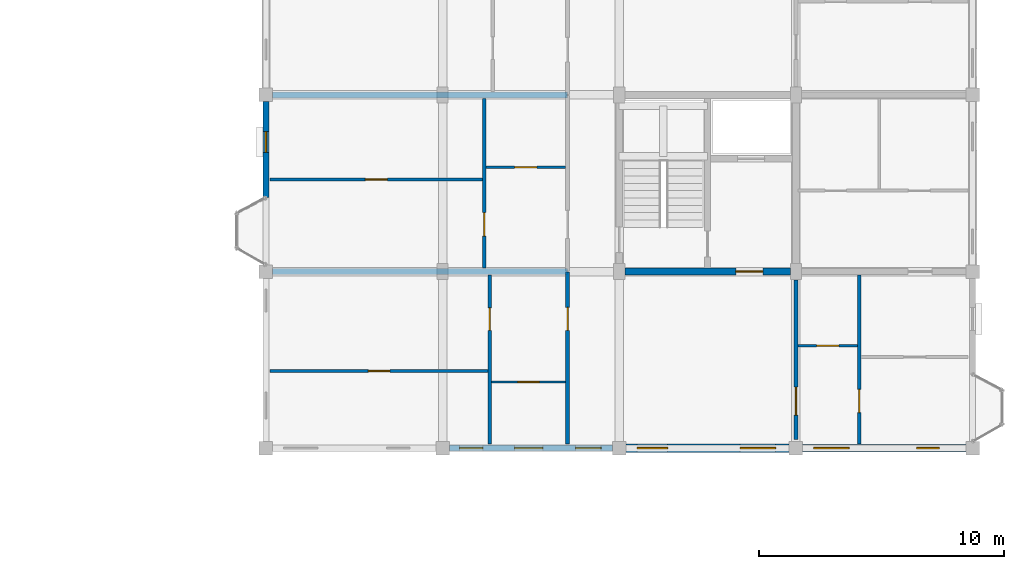
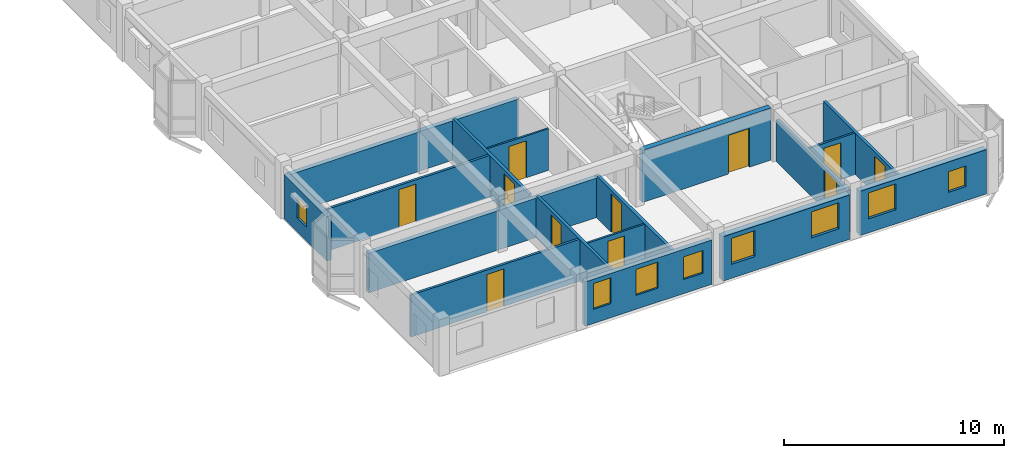
# One storey, part 60 of 77: 17 walls, 11 doors, 8 windows, 19 openings.
"""IFC4 building model written with IfcOpenShell, lengths in metres."""

from ifc_helpers import new_model, si_unit, direction, frame, frame_2d, origin, place, context, subcontext, project, spatial, rectangle, extrude, material, layer, layer_set, type_object, element, fill, save


model = new_model("IFC4")

# Units and contexts
model_context = context("Model", 3, precision=1e-05, world=origin(), true_north=direction((0.0, 1.0)))
body_context = subcontext(model_context, "Body", "Model", "MODEL_VIEW")
ifc_project = project(units=[si_unit("LENGTHUNIT", "METRE"), si_unit("AREAUNIT", "SQUARE_METRE"), si_unit("VOLUMEUNIT", "CUBIC_METRE"), si_unit("PLANEANGLEUNIT", "RADIAN"), si_unit("MASSUNIT", "GRAM", prefix="KILO"), si_unit("THERMODYNAMICTEMPERATUREUNIT", "KELVIN"), si_unit("POWERUNIT", "WATT")], contexts=[model_context])

# Site, building, storey
site_placement = place(None, origin())
site = spatial("IfcSite", under=ifc_project, at=site_placement, CompositionType="ELEMENT")
building_placement = place(site_placement, origin())
building = spatial("IfcBuilding", under=site, at=building_placement, Name="Tavuni Mirador Residences", CompositionType="ELEMENT")
storey_placement = place(building_placement, frame((0.0, 0.0, 17.10009765625)))
storey = spatial("IfcBuildingStorey", under=building, at=storey_placement, Name="L05", CompositionType="ELEMENT", Elevation=17.10009765625)

# Wall, opening, door
ifc_material_1 = material(Name="Precast concrete C40/50", Category="concrete")
ifc_layer_1 = layer(ifc_material_1, 0.280029296875, Name="Precast concrete C40/50", Category="concrete")
ifc_layer_set_1 = layer_set([ifc_layer_1], Name="Precast concrete C40/50")
wall_type_1 = type_object("IfcWallType", Name="WT-COR280", PredefinedType="SHEAR", material=ifc_layer_set_1)
wall_1_placement = place(storey_placement, frame((104.625, 93.60009765625, 0.0), z_axis=(0.0, 0.0, 1.0), x_axis=(1.0, 0.0, 0.0)))
wall_1 = element("IfcWall", 1, at=wall_1_placement, inside=storey, type_object=wall_type_1, Name="CWALL-C7-L05-SS", PredefinedType="SHEAR", context=body_context, shape_type="SweptSolid", body=[
    extrude(rectangle(XDim=6.75, YDim=0.280029296875, at=frame_2d((3.375, 0.0))), origin(), (0.0, 0.0, 1.0), 2.889892578125),
])
opening_1_placement = place(wall_1_placement, frame((4.52490234375, 0.0, 0.0)))
opening_1 = element("IfcOpeningElement", 2, at=opening_1_placement, cuts=wall_1, Name="Opening D-02", PredefinedType="OPENING", context=body_context, shape_type="SweptSolid", body=[
    extrude(rectangle(XDim=1.10009765625, YDim=2.14990234375, at=frame_2d((0.550048828125, 1.074951171875))), frame((0.0, 0.14990234375, 0.0), z_axis=(0.0, -1.0, 0.0), x_axis=(1.0, 0.0, 0.0)), (0.0, 0.0, 1.0), 0.300048828125),
])
ifc_material_2 = material(Name="Solid core iroko timber", Category="wood")
door_type_1 = type_object("IfcDoorType", Name="DT-LOB1100", OperationType="NOTDEFINED", PredefinedType="DOOR", material=ifc_material_2)
door_1_placement = place(opening_1_placement, frame((1.10009765625, 0.0, 0.0), z_axis=(0.0, 0.0, 1.0), x_axis=(-1.0, 0.0, 0.0)))
door_1 = element("IfcDoor", 3, at=door_1_placement, inside=storey, type_object=door_type_1, Name="DR-2286", OperationType="SINGLE_SWING_RIGHT", OverallHeight=2.14990234375, OverallWidth=1.10009765625, PredefinedType="DOOR", context=body_context, shape_type="SweptSolid", body=[
    extrude(rectangle(XDim=1.10009765625, YDim=2.14990234375, at=frame_2d((0.550048828125, 1.074951171875))), frame((0.0, 0.02490234375, 0.0), z_axis=(0.0, -1.0, 0.0), x_axis=(1.0, 0.0, 0.0)), (0.0, 0.0, 1.0), 0.050048828125),
])
fill(opening_1, door_1)

ifc_layer_2 = layer(ifc_material_1, 0.1650390625, Name="Precast concrete C40/50", Category="concrete")
ifc_layer_set_2 = layer_set([ifc_layer_2], Name="Precast concrete C40/50")
wall_type_2 = type_object("IfcWallType", Name="WT-CORR165", PredefinedType="PARTITIONING", material=ifc_layer_set_2)
wall_2_placement = place(storey_placement, frame((102.300048828125, 86.574951171875, 0.0), z_axis=(0.0, 0.0, 1.0), x_axis=(0.0, 1.0, 0.0)))
wall_2 = element("IfcWall", 4, at=wall_2_placement, inside=storey, type_object=wall_type_2, Name="CORW-BLK-D-L05-0-00", PredefinedType="PARTITIONING", context=body_context, shape_type="SweptSolid", body=[
    extrude(rectangle(XDim=7.005126953125, YDim=0.1650390625, at=frame_2d((3.50244140625, 0.0))), origin(), (0.0, 0.0, 1.0), 2.324951171875),
])
opening_2_placement = place(wall_2_placement, frame((4.625, 0.0, 0.0)))
opening_2 = element("IfcOpeningElement", 5, at=opening_2_placement, cuts=wall_2, Name="Opening D-19", PredefinedType="OPENING", context=body_context, shape_type="SweptSolid", body=[
    extrude(rectangle(XDim=0.93994140625, YDim=2.1201171875, at=frame_2d((0.469970703125, 1.06005859375))), frame((0.0, 0.092529296875, 0.0), z_axis=(0.0, -1.0, 0.0), x_axis=(1.0, 0.0, 0.0)), (0.0, 0.0, 1.0), 0.18505859375),
])
door_type_2 = type_object("IfcDoorType", Name="DT-FD60-940", OperationType="NOTDEFINED", PredefinedType="DOOR", material=ifc_material_2)
door_2_placement = place(opening_2_placement, origin())
door_2 = element("IfcDoor", 6, at=door_2_placement, inside=storey, type_object=door_type_2, Name="DR-2869", OperationType="SINGLE_SWING_RIGHT", OverallHeight=2.1201171875, OverallWidth=0.93994140625, PredefinedType="DOOR", context=body_context, shape_type="SweptSolid", body=[
    extrude(rectangle(XDim=0.93994140625, YDim=2.1201171875, at=frame_2d((0.469970703125, 1.06005859375))), frame((0.0, 0.02490234375, 0.0), z_axis=(0.0, -1.0, 0.0), x_axis=(1.0, 0.0, 0.0)), (0.0, 0.0, 1.0), 0.050048828125),
])
fill(opening_2, door_2)

wall_3_placement = place(storey_placement, frame((111.60009765625, 86.75, 0.0), z_axis=(0.0, 0.0, 1.0), x_axis=(0.0, 1.0, 0.0)))
wall_3 = element("IfcWall", 7, at=wall_3_placement, inside=storey, type_object=wall_type_2, Name="CORW-BLK-D-L05-1-00", PredefinedType="PARTITIONING", context=body_context, shape_type="SweptSolid", body=[
    extrude(rectangle(XDim=6.5, YDim=0.1650390625, at=frame_2d((3.25, 0.0))), origin(), (0.0, 0.0, 1.0), 2.324951171875),
])
opening_3_placement = place(wall_3_placement, frame((1.0, 0.0, 0.0)))
opening_3 = element("IfcOpeningElement", 8, at=opening_3_placement, cuts=wall_3, Name="Opening D-20", PredefinedType="OPENING", context=body_context, shape_type="SweptSolid", body=[
    extrude(rectangle(XDim=1.139892578125, YDim=2.179931640625, at=frame_2d((0.56982421875, 1.08984375))), frame((0.0, 0.092529296875, 0.0), z_axis=(0.0, -1.0, 0.0), x_axis=(1.0, 0.0, 0.0)), (0.0, 0.0, 1.0), 0.18505859375),
])
door_type_3 = type_object("IfcDoorType", Name="DT-FD60-1140", OperationType="NOTDEFINED", PredefinedType="DOOR", material=ifc_material_2)
door_3_placement = place(opening_3_placement, origin())
door_3 = element("IfcDoor", 9, at=door_3_placement, inside=storey, type_object=door_type_3, Name="DR-2876", OperationType="SINGLE_SWING_LEFT", OverallHeight=2.179931640625, OverallWidth=1.139892578125, PredefinedType="DOOR", context=body_context, shape_type="SweptSolid", body=[
    extrude(rectangle(XDim=1.139892578125, YDim=2.179931640625, at=frame_2d((0.56982421875, 1.08984375))), frame((0.0, 0.02490234375, 0.0), z_axis=(0.0, -1.0, 0.0), x_axis=(1.0, 0.0, 0.0)), (0.0, 0.0, 1.0), 0.050048828125),
])
fill(opening_3, door_3)

# Wall, openings, windows
ifc_layer_3 = layer(ifc_material_1, 0.330078125, Name="Precast concrete C40/50", Category="concrete")
ifc_layer_set_3 = layer_set([ifc_layer_3], Name="Precast concrete C40/50")
wall_type_3 = type_object("IfcWallType", Name="WT-EXT-COR330", PredefinedType="SOLIDWALL", material=ifc_layer_set_3)
wall_4_placement = place(storey_placement, frame((104.675048828125, 86.39990234375, 0.0), z_axis=(0.0, 0.0, 1.0), x_axis=(1.0, 0.0, 0.0)))
wall_4 = element("IfcWall", 10, at=wall_4_placement, inside=storey, type_object=wall_type_3, Name="EW-BLK-D-L05-S02", PredefinedType="SOLIDWALL", context=body_context, shape_type="SweptSolid", body=[
    extrude(rectangle(XDim=6.64990234375, YDim=0.330078125, at=frame_2d((3.324951171875, 0.0))), origin(), (0.0, 0.0, 1.0), 2.4599609375),
])
opening_4_placement = place(wall_4_placement, frame((0.449951171875, 0.0, 0.780029296875)))
opening_4 = element("IfcOpeningElement", 11, at=opening_4_placement, cuts=wall_4, Name="Opening WN-28", PredefinedType="OPENING", context=body_context, shape_type="SweptSolid", body=[
    extrude(rectangle(XDim=1.25, YDim=1.43994140625, at=frame_2d((0.625, 0.719970703125))), frame((0.0, 0.175048828125, 0.0), z_axis=(0.0, -1.0, 0.0), x_axis=(1.0, 0.0, 0.0)), (0.0, 0.0, 1.0), 0.35009765625),
])
opening_5_placement = place(wall_4_placement, frame((4.64990234375, 0.0, 0.780029296875)))
opening_5 = element("IfcOpeningElement", 12, at=opening_5_placement, cuts=wall_4, Name="Opening WN-30", PredefinedType="OPENING", context=body_context, shape_type="SweptSolid", body=[
    extrude(rectangle(XDim=1.449951171875, YDim=1.43994140625, at=frame_2d((0.72509765625, 0.719970703125))), frame((0.0, 0.175048828125, 0.0), z_axis=(0.0, -1.0, 0.0), x_axis=(1.0, 0.0, 0.0)), (0.0, 0.0, 1.0), 0.35009765625),
])
ifc_material_3 = material(Name="Laminated solar-control glass", Category="glass")
window_type_1 = type_object("IfcWindowType", Name="WNT-28", PartitioningType="SINGLE_PANEL", PredefinedType="WINDOW", material=ifc_material_3)
window_1_placement = place(opening_4_placement, origin())
window_1 = element("IfcWindow", 13, at=window_1_placement, inside=storey, type_object=window_type_1, Name="WIN-1612", OverallHeight=1.43994140625, OverallWidth=1.25, PartitioningType="SINGLE_PANEL", PredefinedType="WINDOW", context=body_context, shape_type="SweptSolid", body=[
    extrude(rectangle(XDim=1.25, YDim=1.43994140625, at=frame_2d((0.625, 0.719970703125))), frame((0.0, 0.030029296875, 0.0), z_axis=(0.0, -1.0, 0.0), x_axis=(1.0, 0.0, 0.0)), (0.0, 0.0, 1.0), 0.06005859375),
])
fill(opening_4, window_1)
window_type_2 = type_object("IfcWindowType", Name="WNT-30", PartitioningType="SINGLE_PANEL", PredefinedType="WINDOW", material=ifc_material_3)
window_2_placement = place(opening_5_placement, origin())
window_2 = element("IfcWindow", 14, at=window_2_placement, inside=storey, type_object=window_type_2, Name="WIN-1613", OverallHeight=1.43994140625, OverallWidth=1.449951171875, PartitioningType="SINGLE_PANEL", PredefinedType="WINDOW", context=body_context, shape_type="SweptSolid", body=[
    extrude(rectangle(XDim=1.449951171875, YDim=1.43994140625, at=frame_2d((0.72509765625, 0.719970703125))), frame((0.0, 0.030029296875, 0.0), z_axis=(0.0, -1.0, 0.0), x_axis=(1.0, 0.0, 0.0)), (0.0, 0.0, 1.0), 0.06005859375),
])
fill(opening_5, window_2)

ifc_material_4 = material(Name="Sgraffito lime-rendered precast concrete C40/50", Category="concrete")
ifc_layer_4 = layer(ifc_material_4, 0.2451171875, Name="Sgraffito lime-rendered precast concrete C40/50", Category="concrete")
ifc_layer_set_4 = layer_set([ifc_layer_4], Name="Sgraffito lime-rendered precast concrete C40/50")
wall_type_4 = type_object("IfcWallType", Name="WT-EXT-PC245", PredefinedType="SOLIDWALL", material=ifc_layer_set_4)
wall_5_placement = place(storey_placement, frame((97.47509765625, 86.39990234375, 0.0), z_axis=(0.0, 0.0, 1.0), x_axis=(1.0, 0.0, 0.0)))
wall_5 = element("IfcWall", 15, at=wall_5_placement, inside=storey, type_object=wall_type_4, Name="EW-BLK-D-L05-S01", PredefinedType="SOLIDWALL", context=body_context, shape_type="SweptSolid", body=[
    extrude(rectangle(XDim=6.64990234375, YDim=0.2451171875, at=frame_2d((3.324951171875, 0.0))), origin(), (0.0, 0.0, 1.0), 2.4599609375),
])
opening_6_placement = place(wall_5_placement, frame((0.422607421875, 0.0, 0.780029296875)))
opening_6 = element("IfcOpeningElement", 16, at=opening_6_placement, cuts=wall_5, Name="Opening WN-25", PredefinedType="OPENING", context=body_context, shape_type="SweptSolid", body=[
    extrude(rectangle(XDim=0.93994140625, YDim=1.43994140625, at=frame_2d((0.469970703125, 0.719970703125))), frame((0.0, 0.132568359375, 0.0), z_axis=(0.0, -1.0, 0.0), x_axis=(1.0, 0.0, 0.0)), (0.0, 0.0, 1.0), 0.26513671875),
])
opening_7_placement = place(wall_5_placement, frame((2.659912109375, 0.0, 0.780029296875)))
opening_7 = element("IfcOpeningElement", 17, at=opening_7_placement, cuts=wall_5, Name="Opening WN-27", PredefinedType="OPENING", context=body_context, shape_type="SweptSolid", body=[
    extrude(rectangle(XDim=1.14990234375, YDim=1.43994140625, at=frame_2d((0.574951171875, 0.719970703125))), frame((0.0, 0.132568359375, 0.0), z_axis=(0.0, -1.0, 0.0), x_axis=(1.0, 0.0, 0.0)), (0.0, 0.0, 1.0), 0.26513671875),
])
opening_8_placement = place(wall_5_placement, frame((5.1474609375, 0.0, 0.780029296875)))
opening_8 = element("IfcOpeningElement", 18, at=opening_8_placement, cuts=wall_5, Name="Opening WN-11", PredefinedType="OPENING", context=body_context, shape_type="SweptSolid", body=[
    extrude(rectangle(XDim=1.0400390625, YDim=1.260009765625, at=frame_2d((0.52001953125, 0.6298828125))), frame((0.0, 0.132568359375, 0.0), z_axis=(0.0, -1.0, 0.0), x_axis=(1.0, 0.0, 0.0)), (0.0, 0.0, 1.0), 0.26513671875),
])
window_type_3 = type_object("IfcWindowType", Name="WNT-11", PartitioningType="SINGLE_PANEL", PredefinedType="WINDOW", material=ifc_material_3)
window_3_placement = place(opening_8_placement, origin())
window_3 = element("IfcWindow", 19, at=window_3_placement, inside=storey, type_object=window_type_3, Name="WIN-1611", OverallHeight=1.260009765625, OverallWidth=1.0400390625, PartitioningType="SINGLE_PANEL", PredefinedType="WINDOW", context=body_context, shape_type="SweptSolid", body=[
    extrude(rectangle(XDim=1.0400390625, YDim=1.260009765625, at=frame_2d((0.52001953125, 0.6298828125))), frame((0.0, 0.030029296875, 0.0), z_axis=(0.0, -1.0, 0.0), x_axis=(1.0, 0.0, 0.0)), (0.0, 0.0, 1.0), 0.06005859375),
])
fill(opening_8, window_3)
window_type_4 = type_object("IfcWindowType", Name="WNT-25", PartitioningType="SINGLE_PANEL", PredefinedType="WINDOW", material=ifc_material_3)
window_4_placement = place(opening_6_placement, origin())
window_4 = element("IfcWindow", 20, at=window_4_placement, inside=storey, type_object=window_type_4, Name="WIN-1609", OverallHeight=1.43994140625, OverallWidth=0.93994140625, PartitioningType="SINGLE_PANEL", PredefinedType="WINDOW", context=body_context, shape_type="SweptSolid", body=[
    extrude(rectangle(XDim=0.93994140625, YDim=1.43994140625, at=frame_2d((0.469970703125, 0.719970703125))), frame((0.0, 0.030029296875, 0.0), z_axis=(0.0, -1.0, 0.0), x_axis=(1.0, 0.0, 0.0)), (0.0, 0.0, 1.0), 0.06005859375),
])
fill(opening_6, window_4)
window_type_5 = type_object("IfcWindowType", Name="WNT-27", PartitioningType="SINGLE_PANEL", PredefinedType="WINDOW", material=ifc_material_3)
window_5_placement = place(opening_7_placement, origin())
window_5 = element("IfcWindow", 21, at=window_5_placement, inside=storey, type_object=window_type_5, Name="WIN-1610", OverallHeight=1.43994140625, OverallWidth=1.14990234375, PartitioningType="SINGLE_PANEL", PredefinedType="WINDOW", context=body_context, shape_type="SweptSolid", body=[
    extrude(rectangle(XDim=1.14990234375, YDim=1.43994140625, at=frame_2d((0.574951171875, 0.719970703125))), frame((0.0, 0.030029296875, 0.0), z_axis=(0.0, -1.0, 0.0), x_axis=(1.0, 0.0, 0.0)), (0.0, 0.0, 1.0), 0.06005859375),
])
fill(opening_7, window_5)

# Wall, opening, window
wall_6_placement = place(storey_placement, frame((90.0, 100.52490234375, 0.0), z_axis=(0.0, 0.0, 1.0), x_axis=(0.0, -1.0, 0.0)))
wall_6 = element("IfcWall", 22, at=wall_6_placement, inside=storey, type_object=wall_type_4, Name="EW-BLK-D-L05-W01", PredefinedType="SOLIDWALL", context=body_context, shape_type="SweptSolid", body=[
    extrude(rectangle(XDim=3.90478515625, YDim=0.2451171875, at=frame_2d((1.952392578125, 0.0))), origin(), (0.0, 0.0, 1.0), 2.4599609375),
])
opening_9_placement = place(wall_6_placement, frame((1.217529296875, 0.0, 0.780029296875)))
opening_9 = element("IfcOpeningElement", 23, at=opening_9_placement, cuts=wall_6, Name="Opening WN-01", PredefinedType="OPENING", context=body_context, shape_type="SweptSolid", body=[
    extrude(rectangle(XDim=0.85009765625, YDim=1.14990234375, at=frame_2d((0.425048828125, 0.574951171875))), frame((0.0, 0.132568359375, 0.0), z_axis=(0.0, -1.0, 0.0), x_axis=(1.0, 0.0, 0.0)), (0.0, 0.0, 1.0), 0.26513671875),
])
window_type_6 = type_object("IfcWindowType", Name="WNT-01", PartitioningType="SINGLE_PANEL", PredefinedType="WINDOW", material=ifc_material_3)
window_6_placement = place(opening_9_placement, origin())
window_6 = element("IfcWindow", 24, at=window_6_placement, inside=storey, type_object=window_type_6, Name="WIN-1645", OverallHeight=1.14990234375, OverallWidth=0.85009765625, PartitioningType="SINGLE_PANEL", PredefinedType="WINDOW", context=body_context, shape_type="SweptSolid", body=[
    extrude(rectangle(XDim=0.85009765625, YDim=1.14990234375, at=frame_2d((0.425048828125, 0.574951171875))), frame((0.0, 0.030029296875, 0.0), z_axis=(0.0, -1.0, 0.0), x_axis=(1.0, 0.0, 0.0)), (0.0, 0.0, 1.0), 0.06005859375),
])
fill(opening_9, window_6)

# Wall, openings, windows
ifc_layer_5 = layer(ifc_material_4, 0.31494140625, Name="Sgraffito lime-rendered precast concrete C40/50", Category="concrete")
ifc_layer_set_5 = layer_set([ifc_layer_5], Name="Sgraffito lime-rendered precast concrete C40/50")
wall_type_5 = type_object("IfcWallType", Name="WT-EXT-PC315", PredefinedType="SOLIDWALL", material=ifc_layer_set_5)
wall_7_placement = place(storey_placement, frame((111.875, 86.39990234375, 0.0), z_axis=(0.0, 0.0, 1.0), x_axis=(1.0, 0.0, 0.0)))
wall_7 = element("IfcWall", 25, at=wall_7_placement, inside=storey, type_object=wall_type_5, Name="EW-BLK-D-L05-S03", PredefinedType="SOLIDWALL", context=body_context, shape_type="SweptSolid", body=[
    extrude(rectangle(XDim=6.64990234375, YDim=0.31494140625, at=frame_2d((3.324951171875, 0.0))), origin(), (0.0, 0.0, 1.0), 2.4599609375),
])
opening_10_placement = place(wall_7_placement, frame((0.449951171875, 0.0, 0.780029296875)))
opening_10 = element("IfcOpeningElement", 26, at=opening_10_placement, cuts=wall_7, Name="Opening WN-30", PredefinedType="OPENING", context=body_context, shape_type="SweptSolid", body=[
    extrude(rectangle(XDim=1.449951171875, YDim=1.43994140625, at=frame_2d((0.72509765625, 0.719970703125))), frame((0.0, 0.16748046875, 0.0), z_axis=(0.0, -1.0, 0.0), x_axis=(1.0, 0.0, 0.0)), (0.0, 0.0, 1.0), 0.3349609375),
])
opening_11_placement = place(wall_7_placement, frame((4.64990234375, 0.0, 0.780029296875)))
opening_11 = element("IfcOpeningElement", 27, at=opening_11_placement, cuts=wall_7, Name="Opening WN-02", PredefinedType="OPENING", context=body_context, shape_type="SweptSolid", body=[
    extrude(rectangle(XDim=0.919921875, YDim=1.14990234375, at=frame_2d((0.4599609375, 0.574951171875))), frame((0.0, 0.16748046875, 0.0), z_axis=(0.0, -1.0, 0.0), x_axis=(1.0, 0.0, 0.0)), (0.0, 0.0, 1.0), 0.3349609375),
])
window_type_7 = type_object("IfcWindowType", Name="WNT-02", PartitioningType="SINGLE_PANEL", PredefinedType="WINDOW", material=ifc_material_3)
window_7_placement = place(opening_11_placement, origin())
window_7 = element("IfcWindow", 28, at=window_7_placement, inside=storey, type_object=window_type_7, Name="WIN-1615", OverallHeight=1.14990234375, OverallWidth=0.919921875, PartitioningType="SINGLE_PANEL", PredefinedType="WINDOW", context=body_context, shape_type="SweptSolid", body=[
    extrude(rectangle(XDim=0.919921875, YDim=1.14990234375, at=frame_2d((0.4599609375, 0.574951171875))), frame((0.0, 0.030029296875, 0.0), z_axis=(0.0, -1.0, 0.0), x_axis=(1.0, 0.0, 0.0)), (0.0, 0.0, 1.0), 0.06005859375),
])
fill(opening_11, window_7)
window_8_placement = place(opening_10_placement, origin())
window_8 = element("IfcWindow", 29, at=window_8_placement, inside=storey, type_object=window_type_2, Name="WIN-1614", OverallHeight=1.43994140625, OverallWidth=1.449951171875, PartitioningType="SINGLE_PANEL", PredefinedType="WINDOW", context=body_context, shape_type="SweptSolid", body=[
    extrude(rectangle(XDim=1.449951171875, YDim=1.43994140625, at=frame_2d((0.72509765625, 0.719970703125))), frame((0.0, 0.030029296875, 0.0), z_axis=(0.0, -1.0, 0.0), x_axis=(1.0, 0.0, 0.0)), (0.0, 0.0, 1.0), 0.06005859375),
])
fill(opening_10, window_8)

# Wall, opening, door
ifc_material_5 = material(Name="Acoustic gypsum and concrete block partition", Category="concrete")
ifc_layer_6 = layer(ifc_material_5, 0.094970703125, Name="Acoustic gypsum and concrete block partition", Category="concrete")
ifc_layer_set_6 = layer_set([ifc_layer_6], Name="Acoustic gypsum and concrete block partition")
wall_type_6 = type_object("IfcWallType", Name="WT-PART095", PredefinedType="PARTITIONING", material=ifc_layer_set_6)
wall_8_placement = place(storey_placement, frame((99.18994140625, 89.10009765625, 0.0), z_axis=(0.0, 0.0, 1.0), x_axis=(1.0, 0.0, 0.0)))
wall_8 = element("IfcWall", 30, at=wall_8_placement, inside=storey, type_object=wall_type_6, Name="PW-BLK-D-L05-W00-IN1", PredefinedType="PARTITIONING", context=body_context, shape_type="SweptSolid", body=[
    extrude(rectangle(XDim=3.02001953125, YDim=0.094970703125, at=frame_2d((1.510009765625, 0.0))), origin(), (0.0, 0.0, 1.0), 2.324951171875),
])
opening_12_placement = place(wall_8_placement, frame((1.074951171875, 0.0, 0.0)))
opening_12 = element("IfcOpeningElement", 31, at=opening_12_placement, cuts=wall_8, Name="Opening D-10", PredefinedType="OPENING", context=body_context, shape_type="SweptSolid", body=[
    extrude(rectangle(XDim=0.8701171875, YDim=2.050048828125, at=frame_2d((0.43505859375, 1.02490234375))), frame((0.0, 0.0576171875, 0.0), z_axis=(0.0, -1.0, 0.0), x_axis=(1.0, 0.0, 0.0)), (0.0, 0.0, 1.0), 0.114990234375),
])
door_type_4 = type_object("IfcDoorType", Name="DT-WC870", OperationType="NOTDEFINED", PredefinedType="DOOR", material=ifc_material_2)
door_4_placement = place(opening_12_placement, origin())
door_4 = element("IfcDoor", 32, at=door_4_placement, inside=storey, type_object=door_type_4, Name="DR-4472", OperationType="SINGLE_SWING_LEFT", OverallHeight=2.050048828125, OverallWidth=0.8701171875, PredefinedType="DOOR", context=body_context, shape_type="SweptSolid", body=[
    extrude(rectangle(XDim=0.8701171875, YDim=2.050048828125, at=frame_2d((0.43505859375, 1.02490234375))), frame((0.0, 0.02490234375, 0.0), z_axis=(0.0, -1.0, 0.0), x_axis=(1.0, 0.0, 0.0)), (0.0, 0.0, 1.0), 0.050048828125),
])
fill(opening_12, door_4)

wall_9_placement = place(storey_placement, frame((98.969970703125, 97.85009765625, 0.0), z_axis=(0.0, 0.0, 1.0), x_axis=(1.0, 0.0, 0.0)))
wall_9 = element("IfcWall", 33, at=wall_9_placement, inside=storey, type_object=wall_type_6, Name="PW-BLK-D-L05-W01-IN1", PredefinedType="PARTITIONING", context=body_context, shape_type="SweptSolid", body=[
    extrude(rectangle(XDim=3.239990234375, YDim=0.094970703125, at=frame_2d((1.6201171875, 0.0))), origin(), (0.0, 0.0, 1.0), 2.324951171875),
])
opening_13_placement = place(wall_9_placement, frame((1.169921875, 0.0, 0.0)))
opening_13 = element("IfcOpeningElement", 34, at=opening_13_placement, cuts=wall_9, Name="Opening D-09", PredefinedType="OPENING", context=body_context, shape_type="SweptSolid", body=[
    extrude(rectangle(XDim=0.89990234375, YDim=2.050048828125, at=frame_2d((0.449951171875, 1.02490234375))), frame((0.0, 0.0576171875, 0.0), z_axis=(0.0, -1.0, 0.0), x_axis=(1.0, 0.0, 0.0)), (0.0, 0.0, 1.0), 0.114990234375),
])
door_type_5 = type_object("IfcDoorType", Name="DT-WC900", OperationType="NOTDEFINED", PredefinedType="DOOR", material=ifc_material_2)
door_5_placement = place(opening_13_placement, origin())
door_5 = element("IfcDoor", 35, at=door_5_placement, inside=storey, type_object=door_type_5, Name="DR-4478", OperationType="SINGLE_SWING_RIGHT", OverallHeight=2.050048828125, OverallWidth=0.89990234375, PredefinedType="DOOR", context=body_context, shape_type="SweptSolid", body=[
    extrude(rectangle(XDim=0.89990234375, YDim=2.050048828125, at=frame_2d((0.449951171875, 1.02490234375))), frame((0.0, 0.02490234375, 0.0), z_axis=(0.0, -1.0, 0.0), x_axis=(1.0, 0.0, 0.0)), (0.0, 0.0, 1.0), 0.050048828125),
])
fill(opening_13, door_5)

ifc_layer_7 = layer(ifc_material_5, 0.10498046875, Name="Acoustic gypsum and concrete block partition", Category="concrete")
ifc_layer_set_7 = layer_set([ifc_layer_7], Name="Acoustic gypsum and concrete block partition")
wall_type_7 = type_object("IfcWallType", Name="WT-PART105", PredefinedType="PARTITIONING", material=ifc_layer_set_7)
wall_10_placement = place(storey_placement, frame((111.68994140625, 90.580078125, 0.0), z_axis=(0.0, 0.0, 1.0), x_axis=(1.0, 0.0, 0.0)))
wall_10 = element("IfcWall", 36, at=wall_10_placement, inside=storey, type_object=wall_type_7, Name="PW-BLK-D-L05-E00-IN1", PredefinedType="PARTITIONING", context=body_context, shape_type="SweptSolid", body=[
    extrude(rectangle(XDim=2.420166015625, YDim=0.10498046875, at=frame_2d((1.2099609375, 0.0))), origin(), (0.0, 0.0, 1.0), 2.324951171875),
])
opening_14_placement = place(wall_10_placement, frame((0.760009765625, 0.0, 0.0)))
opening_14 = element("IfcOpeningElement", 37, at=opening_14_placement, cuts=wall_10, Name="Opening D-09", PredefinedType="OPENING", context=body_context, shape_type="SweptSolid", body=[
    extrude(rectangle(XDim=0.89990234375, YDim=2.050048828125, at=frame_2d((0.449951171875, 1.02490234375))), frame((0.0, 0.0625, 0.0), z_axis=(0.0, -1.0, 0.0), x_axis=(1.0, 0.0, 0.0)), (0.0, 0.0, 1.0), 0.125),
])
door_6_placement = place(opening_14_placement, origin())
door_6 = element("IfcDoor", 38, at=door_6_placement, inside=storey, type_object=door_type_5, Name="DR-4475", OperationType="SINGLE_SWING_RIGHT", OverallHeight=2.050048828125, OverallWidth=0.89990234375, PredefinedType="DOOR", context=body_context, shape_type="SweptSolid", body=[
    extrude(rectangle(XDim=0.89990234375, YDim=2.050048828125, at=frame_2d((0.449951171875, 1.02490234375))), frame((0.0, 0.02490234375, 0.0), z_axis=(0.0, -1.0, 0.0), x_axis=(1.0, 0.0, 0.0)), (0.0, 0.0, 1.0), 0.050048828125),
])
fill(opening_14, door_6)

ifc_layer_8 = layer(ifc_material_5, 0.125, Name="Acoustic gypsum and concrete block partition", Category="concrete")
ifc_layer_set_8 = layer_set([ifc_layer_8], Name="Acoustic gypsum and concrete block partition")
wall_type_8 = type_object("IfcWallType", Name="WT-PART125", PredefinedType="PARTITIONING", material=ifc_layer_set_8)
wall_11_placement = place(storey_placement, frame((90.175048828125, 89.550048828125, 0.0), z_axis=(0.0, 0.0, 1.0), x_axis=(1.0, 0.0, 0.0)))
wall_11 = element("IfcWall", 39, at=wall_11_placement, inside=storey, type_object=wall_type_8, Name="PW-BLK-D-L05-W00-OUT", PredefinedType="PARTITIONING", context=body_context, shape_type="SweptSolid", body=[
    extrude(rectangle(XDim=8.875, YDim=0.125, at=frame_2d((4.4375, 0.0))), origin(), (0.0, 0.0, 1.0), 2.324951171875),
])
opening_15_placement = place(wall_11_placement, frame((3.99755859375, 0.0, 0.0)))
opening_15 = element("IfcOpeningElement", 40, at=opening_15_placement, cuts=wall_11, Name="Opening D-08", PredefinedType="OPENING", context=body_context, shape_type="SweptSolid", body=[
    extrude(rectangle(XDim=0.8798828125, YDim=2.080078125, at=frame_2d((0.43994140625, 1.0400390625))), frame((0.0, 0.072509765625, 0.0), z_axis=(0.0, -1.0, 0.0), x_axis=(1.0, 0.0, 0.0)), (0.0, 0.0, 1.0), 0.14501953125),
])
door_type_6 = type_object("IfcDoorType", Name="DT-BED880", OperationType="NOTDEFINED", PredefinedType="DOOR", material=ifc_material_2)
door_7_placement = place(opening_15_placement, origin())
door_7 = element("IfcDoor", 41, at=door_7_placement, inside=storey, type_object=door_type_6, Name="DR-4471", OperationType="SINGLE_SWING_RIGHT", OverallHeight=2.080078125, OverallWidth=0.8798828125, PredefinedType="DOOR", context=body_context, shape_type="SweptSolid", body=[
    extrude(rectangle(XDim=0.8798828125, YDim=2.080078125, at=frame_2d((0.43994140625, 1.0400390625))), frame((0.0, 0.02490234375, 0.0), z_axis=(0.0, -1.0, 0.0), x_axis=(1.0, 0.0, 0.0)), (0.0, 0.0, 1.0), 0.050048828125),
])
fill(opening_15, door_7)

wall_12_placement = place(storey_placement, frame((90.175048828125, 97.35009765625, 0.0), z_axis=(0.0, 0.0, 1.0), x_axis=(1.0, 0.0, 0.0)))
wall_12 = element("IfcWall", 42, at=wall_12_placement, inside=storey, type_object=wall_type_8, Name="PW-BLK-D-L05-W01-OUT", PredefinedType="PARTITIONING", context=body_context, shape_type="SweptSolid", body=[
    extrude(rectangle(XDim=8.655029296875, YDim=0.125, at=frame_2d((4.32763671875, 0.0))), origin(), (0.0, 0.0, 1.0), 2.324951171875),
])
opening_16_placement = place(wall_12_placement, frame((3.87744140625, 0.0, 0.0)))
opening_16 = element("IfcOpeningElement", 43, at=opening_16_placement, cuts=wall_12, Name="Opening D-07", PredefinedType="OPENING", context=body_context, shape_type="SweptSolid", body=[
    extrude(rectangle(XDim=0.89990234375, YDim=2.10009765625, at=frame_2d((0.449951171875, 1.050048828125))), frame((0.0, 0.072509765625, 0.0), z_axis=(0.0, -1.0, 0.0), x_axis=(1.0, 0.0, 0.0)), (0.0, 0.0, 1.0), 0.14501953125),
])
door_type_7 = type_object("IfcDoorType", Name="DT-BED900", OperationType="NOTDEFINED", PredefinedType="DOOR", material=ifc_material_2)
door_8_placement = place(opening_16_placement, origin())
door_8 = element("IfcDoor", 44, at=door_8_placement, inside=storey, type_object=door_type_7, Name="DR-4477", OperationType="SINGLE_SWING_LEFT", OverallHeight=2.10009765625, OverallWidth=0.89990234375, PredefinedType="DOOR", context=body_context, shape_type="SweptSolid", body=[
    extrude(rectangle(XDim=0.89990234375, YDim=2.10009765625, at=frame_2d((0.449951171875, 1.050048828125))), frame((0.0, 0.02490234375, 0.0), z_axis=(0.0, -1.0, 0.0), x_axis=(1.0, 0.0, 0.0)), (0.0, 0.0, 1.0), 0.050048828125),
])
fill(opening_16, door_8)

ifc_layer_9 = layer(ifc_material_5, 0.139892578125, Name="Acoustic gypsum and concrete block partition", Category="concrete")
ifc_layer_set_9 = layer_set([ifc_layer_9], Name="Acoustic gypsum and concrete block partition")
wall_type_9 = type_object("IfcWallType", Name="WT-PART140", PredefinedType="PARTITIONING", material=ifc_layer_set_9)
wall_13_placement = place(storey_placement, frame((114.179931640625, 86.574951171875, 0.0), z_axis=(0.0, 0.0, 1.0), x_axis=(0.0, 1.0, 0.0)))
wall_13 = element("IfcWall", 45, at=wall_13_placement, inside=storey, type_object=wall_type_9, Name="PW-BLK-D-L05-E00-MID", PredefinedType="PARTITIONING", context=body_context, shape_type="SweptSolid", body=[
    extrude(rectangle(XDim=6.885009765625, YDim=0.139892578125, at=frame_2d((3.4423828125, 0.0))), origin(), (0.0, 0.0, 1.0), 2.324951171875),
])
opening_17_placement = place(wall_13_placement, frame((1.27490234375, 0.0, 0.0)))
opening_17 = element("IfcOpeningElement", 46, at=opening_17_placement, cuts=wall_13, Name="Opening D-05", PredefinedType="OPENING", context=body_context, shape_type="SweptSolid", body=[
    extrude(rectangle(XDim=0.949951171875, YDim=2.10009765625, at=frame_2d((0.47509765625, 1.050048828125))), frame((0.0, 0.080078125, 0.0), z_axis=(0.0, -1.0, 0.0), x_axis=(1.0, 0.0, 0.0)), (0.0, 0.0, 1.0), 0.159912109375),
])
door_type_8 = type_object("IfcDoorType", Name="DT-INT950", OperationType="NOTDEFINED", PredefinedType="DOOR", material=ifc_material_2)
door_9_placement = place(opening_17_placement, origin())
door_9 = element("IfcDoor", 47, at=door_9_placement, inside=storey, type_object=door_type_8, Name="DR-4476", OperationType="SINGLE_SWING_LEFT", OverallHeight=2.10009765625, OverallWidth=0.949951171875, PredefinedType="DOOR", context=body_context, shape_type="SweptSolid", body=[
    extrude(rectangle(XDim=0.949951171875, YDim=2.10009765625, at=frame_2d((0.47509765625, 1.050048828125))), frame((0.0, 0.02490234375, 0.0), z_axis=(0.0, -1.0, 0.0), x_axis=(1.0, 0.0, 0.0)), (0.0, 0.0, 1.0), 0.050048828125),
])
fill(opening_17, door_9)

ifc_layer_10 = layer(ifc_material_5, 0.14990234375, Name="Acoustic gypsum and concrete block partition", Category="concrete")
ifc_layer_set_10 = layer_set([ifc_layer_10], Name="Acoustic gypsum and concrete block partition")
wall_type_10 = type_object("IfcWallType", Name="WT-PART150", PredefinedType="PARTITIONING", material=ifc_layer_set_10)
wall_14_placement = place(storey_placement, frame((99.1201171875, 86.574951171875, 0.0), z_axis=(0.0, 0.0, 1.0), x_axis=(0.0, 1.0, 0.0)))
wall_14 = element("IfcWall", 48, at=wall_14_placement, inside=storey, type_object=wall_type_10, Name="PW-BLK-D-L05-W00-MID", PredefinedType="PARTITIONING", context=body_context, shape_type="SweptSolid", body=[
    extrude(rectangle(XDim=6.885009765625, YDim=0.14990234375, at=frame_2d((3.4423828125, 0.0))), origin(), (0.0, 0.0, 1.0), 2.324951171875),
])
opening_18_placement = place(wall_14_placement, frame((4.625, 0.0, 0.0)))
opening_18 = element("IfcOpeningElement", 49, at=opening_18_placement, cuts=wall_14, Name="Opening D-06", PredefinedType="OPENING", context=body_context, shape_type="SweptSolid", body=[
    extrude(rectangle(XDim=0.919921875, YDim=2.10009765625, at=frame_2d((0.4599609375, 1.050048828125))), frame((0.0, 0.0849609375, 0.0), z_axis=(0.0, -1.0, 0.0), x_axis=(1.0, 0.0, 0.0)), (0.0, 0.0, 1.0), 0.169921875),
])
door_type_9 = type_object("IfcDoorType", Name="DT-INT920", OperationType="NOTDEFINED", PredefinedType="DOOR", material=ifc_material_2)
door_10_placement = place(opening_18_placement, origin())
door_10 = element("IfcDoor", 50, at=door_10_placement, inside=storey, type_object=door_type_9, Name="DR-4473", OperationType="SINGLE_SWING_RIGHT", OverallHeight=2.10009765625, OverallWidth=0.919921875, PredefinedType="DOOR", context=body_context, shape_type="SweptSolid", body=[
    extrude(rectangle(XDim=0.919921875, YDim=2.10009765625, at=frame_2d((0.4599609375, 1.050048828125))), frame((0.0, 0.02490234375, 0.0), z_axis=(0.0, -1.0, 0.0), x_axis=(1.0, 0.0, 0.0)), (0.0, 0.0, 1.0), 0.050048828125),
])
fill(opening_18, door_10)

wall_15_placement = place(storey_placement, frame((98.89990234375, 93.739990234375, 0.0), z_axis=(0.0, 0.0, 1.0), x_axis=(0.0, 1.0, 0.0)))
wall_15 = element("IfcWall", 51, at=wall_15_placement, inside=storey, type_object=wall_type_10, Name="PW-BLK-D-L05-W01-MID", PredefinedType="PARTITIONING", context=body_context, shape_type="SweptSolid", body=[
    extrude(rectangle(XDim=6.919921875, YDim=0.14990234375, at=frame_2d((3.4599609375, 0.0))), origin(), (0.0, 0.0, 1.0), 2.324951171875),
])
opening_19_placement = place(wall_15_placement, frame((1.31005859375, 0.0, 0.0)))
opening_19 = element("IfcOpeningElement", 52, at=opening_19_placement, cuts=wall_15, Name="Opening D-05", PredefinedType="OPENING", context=body_context, shape_type="SweptSolid", body=[
    extrude(rectangle(XDim=0.949951171875, YDim=2.10009765625, at=frame_2d((0.47509765625, 1.050048828125))), frame((0.0, 0.0849609375, 0.0), z_axis=(0.0, -1.0, 0.0), x_axis=(1.0, 0.0, 0.0)), (0.0, 0.0, 1.0), 0.169921875),
])
door_11_placement = place(opening_19_placement, origin())
door_11 = element("IfcDoor", 53, at=door_11_placement, inside=storey, type_object=door_type_8, Name="DR-4479", OperationType="SINGLE_SWING_LEFT", OverallHeight=2.10009765625, OverallWidth=0.949951171875, PredefinedType="DOOR", context=body_context, shape_type="SweptSolid", body=[
    extrude(rectangle(XDim=0.949951171875, YDim=2.10009765625, at=frame_2d((0.47509765625, 1.050048828125))), frame((0.0, 0.02490234375, 0.0), z_axis=(0.0, -1.0, 0.0), x_axis=(1.0, 0.0, 0.0)), (0.0, 0.0, 1.0), 0.050048828125),
])
fill(opening_19, door_11)

# Walls
ifc_layer_11 = layer(ifc_material_1, 0.235107421875, Name="Precast concrete C40/50", Category="concrete")
ifc_layer_set_11 = layer_set([ifc_layer_11], Name="Precast concrete C40/50")
wall_type_11 = type_object("IfcWallType", Name="WT-XW235", PredefinedType="SOLIDWALL", material=ifc_layer_set_11)
for number, where, z_axis, x_axis, name in (
    (54, (90.27490234375, 93.60009765625, 0.0), (0.0, 0.0, 1.0), (1.0, 0.0, 0.0), "XW-BLK-D-L05-W-01"),
    (55, (90.27490234375, 100.800048828125, 0.0), (0.0, 0.0, 1.0), (1.0, 0.0, 0.0), "XW-BLK-D-L05-W-02"),
):
    element("IfcWall", number, at=place(storey_placement, frame(where, z_axis=z_axis, x_axis=x_axis)), inside=storey, type_object=wall_type_11, Name=name, PredefinedType="SOLIDWALL", context=body_context, shape_type="SweptSolid", body=[
        extrude(rectangle(XDim=12.025146484375, YDim=0.235107421875, at=frame_2d((6.0126953125, 0.0))), origin(), (0.0, 0.0, 1.0), 2.18994140625),
    ])

save(model, "model.ifc")
